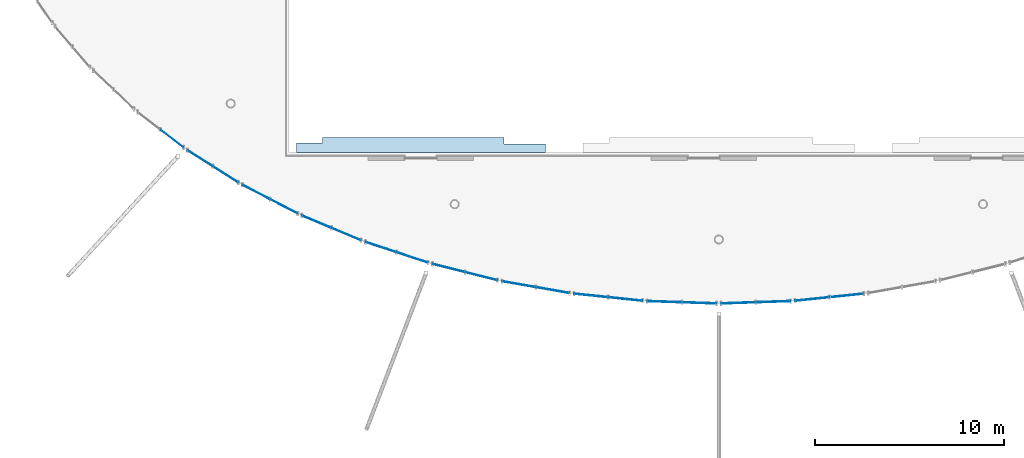
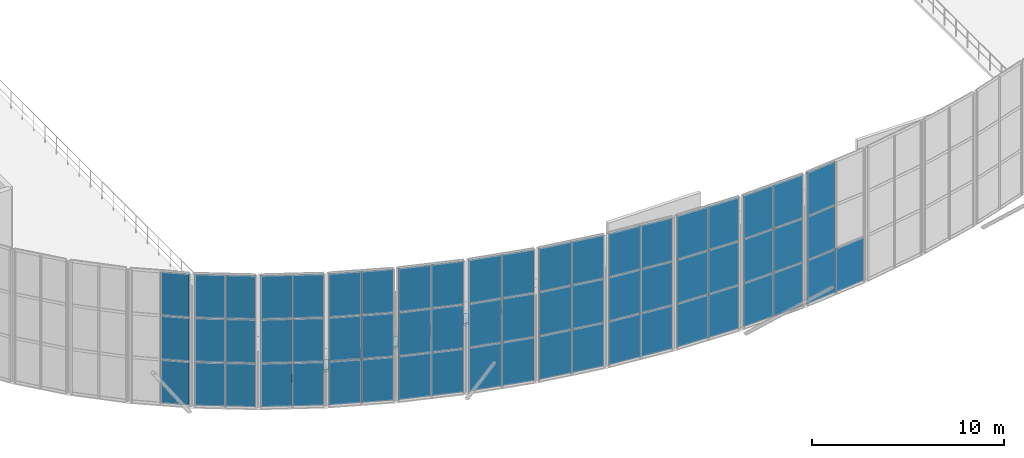
# One storey, part 45 of 109: 61 plates, 1 slab, 11 elements without a shape of their own.
"""IFC4 building model written with IfcOpenShell, lengths in metres."""

from ifc_helpers import new_model, si_unit, derived_unit, direction, frame, origin, origin_2d, place, context, subcontext, project, spatial, polyline, rectangle, outline, extrude, material, layer, layer_set, type_object, element, aggregate, save


model = new_model("IFC4")

# Units and contexts
model_context = context("Model", 3, precision=1e-05, world=origin(), true_north=direction((0.0, 1.0)))
body_context = subcontext(model_context, "Body", "Model", "MODEL_VIEW")
ifc_project = project(units=[si_unit("LENGTHUNIT", "METRE"), si_unit("AREAUNIT", "SQUARE_METRE"), si_unit("VOLUMEUNIT", "CUBIC_METRE"), si_unit("PLANEANGLEUNIT", "RADIAN"), si_unit("MASSUNIT", "GRAM", prefix="KILO"), derived_unit("THERMALTRANSMITTANCEUNIT", [(si_unit("MASSUNIT", "GRAM", prefix="KILO"), 1), (si_unit("TIMEUNIT", "SECOND"), -3), (si_unit("THERMODYNAMICTEMPERATUREUNIT", "KELVIN"), -1)])], contexts=[model_context])

# Site, building, storey
site_placement = place(None, origin())
site = spatial("IfcSite", under=ifc_project, at=site_placement, CompositionType="ELEMENT")
building_placement = place(site_placement, origin())
building = spatial("IfcBuilding", under=site, at=building_placement, Name="Kharveza Railside Sports Centre", CompositionType="ELEMENT")
storey_placement = place(building_placement, frame((0.0, 0.0, 4.5)))
storey = spatial("IfcBuildingStorey", under=building, at=storey_placement, Name="L01", CompositionType="ELEMENT", Elevation=4.5)

# Curtain wall, plates
ifc_material_1 = material(Name="Low-E solar-control laminated glass", Category="glass")
curtain_wall_type = type_object("IfcCurtainWallType", Name="CW-DR01", PredefinedType="NOTDEFINED", material=ifc_material_1)
curtain_wall_1_placement = place(storey_placement, origin())
curtain_wall_1 = element("IfcCurtainWall", 1, at=curtain_wall_1_placement, inside=storey, type_object=curtain_wall_type, Name="CW-DRUM-40", PredefinedType="NOTDEFINED")
ifc_layer_1 = layer(ifc_material_1, 0.035888671875, Name="Low-E solar-control laminated glass")
ifc_layer_set_1 = layer_set([ifc_layer_1], Name="Low-E solar-control laminated glass")
plate_type = type_object("IfcPlateType", Name="PL-CP01", PredefinedType="CURTAIN_PANEL", material=ifc_layer_set_1)
plate_1_placement = place(storey_placement, frame((25.609130859375, 31.146728515625, 0.02001953125), z_axis=(0.0, 0.0, 1.0), x_axis=(0.791436947965, -0.61125081382, 0.0)))
plate_1 = element("IfcPlate", 2, at=plate_1_placement, type_object=plate_type, Name="CW-DRUM-40-PN21", PredefinedType="CURTAIN_PANEL", context=body_context, shape_type="SweptSolid", body=[
    extrude(rectangle(XDim=1.50537109375, YDim=0.035888671875, at=origin_2d()), origin(), (0.0, 0.0, 1.0), 2.760009765625),
])
plate_2_placement = place(storey_placement, frame((25.609130859375, 31.146728515625, 2.81982421875), z_axis=(0.0, 0.0, 1.0), x_axis=(0.791436947965, -0.61125081382, 0.0)))
plate_2 = element("IfcPlate", 3, at=plate_2_placement, type_object=plate_type, Name="CW-DRUM-40-PN22", PredefinedType="CURTAIN_PANEL", context=body_context, shape_type="SweptSolid", body=[
    extrude(rectangle(XDim=1.50537109375, YDim=0.035888671875, at=origin_2d()), origin(), (0.0, 0.0, 1.0), 2.760009765625),
])
plate_3_placement = place(storey_placement, frame((25.609130859375, 31.146728515625, 5.6201171875), z_axis=(0.0, 0.0, 1.0), x_axis=(0.791436947965, -0.61125081382, 0.0)))
plate_3 = element("IfcPlate", 4, at=plate_3_placement, type_object=plate_type, Name="CW-DRUM-40-PN23", PredefinedType="CURTAIN_PANEL", context=body_context, shape_type="SweptSolid", body=[
    extrude(rectangle(XDim=1.50537109375, YDim=0.035888671875, at=origin_2d()), origin(), (0.0, 0.0, 1.0), 2.760009765625),
])
aggregate(curtain_wall_1, [plate_1, plate_2, plate_3])

curtain_wall_2_placement = place(storey_placement, origin())
curtain_wall_2 = element("IfcCurtainWall", 5, at=curtain_wall_2_placement, inside=storey, type_object=curtain_wall_type, Name="CW-DRUM-41", PredefinedType="NOTDEFINED")
plate_4_placement = place(storey_placement, frame((27.093505859375, 30.107421875, 0.02001953125), z_axis=(0.0, 0.0, 1.0), x_axis=(0.844393382793, -0.535723636864, 0.0)))
plate_4 = element("IfcPlate", 6, at=plate_4_placement, type_object=plate_type, Name="CW-DRUM-41-PN11", PredefinedType="CURTAIN_PANEL", context=body_context, shape_type="SweptSolid", body=[
    extrude(rectangle(XDim=1.562255859375, YDim=0.035888671875, at=origin_2d()), origin(), (0.0, 0.0, 1.0), 2.760009765625),
])
plate_5_placement = place(storey_placement, frame((27.093505859375, 30.107421875, 2.81982421875), z_axis=(0.0, 0.0, 1.0), x_axis=(0.844393382793, -0.535723636864, 0.0)))
plate_5 = element("IfcPlate", 7, at=plate_5_placement, type_object=plate_type, Name="CW-DRUM-41-PN12", PredefinedType="CURTAIN_PANEL", context=body_context, shape_type="SweptSolid", body=[
    extrude(rectangle(XDim=1.562255859375, YDim=0.035888671875, at=origin_2d()), origin(), (0.0, 0.0, 1.0), 2.760009765625),
])
plate_6_placement = place(storey_placement, frame((27.093505859375, 30.107421875, 5.6201171875), z_axis=(0.0, 0.0, 1.0), x_axis=(0.844393382793, -0.535723636864, 0.0)))
plate_6 = element("IfcPlate", 8, at=plate_6_placement, type_object=plate_type, Name="CW-DRUM-41-PN13", PredefinedType="CURTAIN_PANEL", context=body_context, shape_type="SweptSolid", body=[
    extrude(rectangle(XDim=1.562255859375, YDim=0.035888671875, at=origin_2d()), origin(), (0.0, 0.0, 1.0), 2.760009765625),
])
plate_7_placement = place(storey_placement, frame((28.446533203125, 29.249267578125, 0.02001953125), z_axis=(0.0, 0.0, 1.0), x_axis=(0.844393382793, -0.535723636864, 0.0)))
plate_7 = element("IfcPlate", 9, at=plate_7_placement, type_object=plate_type, Name="CW-DRUM-41-PN21", PredefinedType="CURTAIN_PANEL", context=body_context, shape_type="SweptSolid", body=[
    extrude(rectangle(XDim=1.562255859375, YDim=0.035888671875, at=origin_2d()), origin(), (0.0, 0.0, 1.0), 2.760009765625),
])
plate_8_placement = place(storey_placement, frame((28.446533203125, 29.249267578125, 2.81982421875), z_axis=(0.0, 0.0, 1.0), x_axis=(0.844393382793, -0.535723636864, 0.0)))
plate_8 = element("IfcPlate", 10, at=plate_8_placement, type_object=plate_type, Name="CW-DRUM-41-PN22", PredefinedType="CURTAIN_PANEL", context=body_context, shape_type="SweptSolid", body=[
    extrude(rectangle(XDim=1.562255859375, YDim=0.035888671875, at=origin_2d()), origin(), (0.0, 0.0, 1.0), 2.760009765625),
])
plate_9_placement = place(storey_placement, frame((28.446533203125, 29.249267578125, 5.6201171875), z_axis=(0.0, 0.0, 1.0), x_axis=(0.844393382793, -0.535723636864, 0.0)))
plate_9 = element("IfcPlate", 11, at=plate_9_placement, type_object=plate_type, Name="CW-DRUM-41-PN23", PredefinedType="CURTAIN_PANEL", context=body_context, shape_type="SweptSolid", body=[
    extrude(rectangle(XDim=1.562255859375, YDim=0.035888671875, at=origin_2d()), origin(), (0.0, 0.0, 1.0), 2.760009765625),
])
aggregate(curtain_wall_2, [plate_4, plate_5, plate_6, plate_7, plate_8, plate_9])

curtain_wall_3_placement = place(storey_placement, origin())
curtain_wall_3 = element("IfcCurtainWall", 12, at=curtain_wall_3_placement, inside=storey, type_object=curtain_wall_type, Name="CW-DRUM-42", PredefinedType="NOTDEFINED")
plate_10_placement = place(storey_placement, frame((30.06591796875, 28.31884765625, 0.02001953125), z_axis=(0.0, 0.0, 1.0), x_axis=(0.887526057855, -0.460757524766, 0.0)))
plate_10 = element("IfcPlate", 13, at=plate_10_placement, type_object=plate_type, Name="CW-DRUM-42-PN11", PredefinedType="CURTAIN_PANEL", context=body_context, shape_type="SweptSolid", body=[
    extrude(rectangle(XDim=1.6162109375, YDim=0.035888671875, at=origin_2d()), origin(), (0.0, 0.0, 1.0), 2.760009765625),
])
plate_11_placement = place(storey_placement, frame((30.06591796875, 28.31884765625, 2.81982421875), z_axis=(0.0, 0.0, 1.0), x_axis=(0.887526057855, -0.460757524766, 0.0)))
plate_11 = element("IfcPlate", 14, at=plate_11_placement, type_object=plate_type, Name="CW-DRUM-42-PN12", PredefinedType="CURTAIN_PANEL", context=body_context, shape_type="SweptSolid", body=[
    extrude(rectangle(XDim=1.6162109375, YDim=0.035888671875, at=origin_2d()), origin(), (0.0, 0.0, 1.0), 2.760009765625),
])
plate_12_placement = place(storey_placement, frame((30.06591796875, 28.31884765625, 5.6201171875), z_axis=(0.0, 0.0, 1.0), x_axis=(0.887526057855, -0.460757524766, 0.0)))
plate_12 = element("IfcPlate", 15, at=plate_12_placement, type_object=plate_type, Name="CW-DRUM-42-PN13", PredefinedType="CURTAIN_PANEL", context=body_context, shape_type="SweptSolid", body=[
    extrude(rectangle(XDim=1.6162109375, YDim=0.035888671875, at=origin_2d()), origin(), (0.0, 0.0, 1.0), 2.760009765625),
])
plate_13_placement = place(storey_placement, frame((31.53564453125, 27.5556640625, 0.02001953125), z_axis=(0.0, 0.0, 1.0), x_axis=(0.887526057855, -0.460757524766, 0.0)))
plate_13 = element("IfcPlate", 16, at=plate_13_placement, type_object=plate_type, Name="CW-DRUM-42-PN21", PredefinedType="CURTAIN_PANEL", context=body_context, shape_type="SweptSolid", body=[
    extrude(rectangle(XDim=1.6162109375, YDim=0.035888671875, at=origin_2d()), origin(), (0.0, 0.0, 1.0), 2.760009765625),
])
plate_14_placement = place(storey_placement, frame((31.53564453125, 27.5556640625, 2.81982421875), z_axis=(0.0, 0.0, 1.0), x_axis=(0.887526057855, -0.460757524766, 0.0)))
plate_14 = element("IfcPlate", 17, at=plate_14_placement, type_object=plate_type, Name="CW-DRUM-42-PN22", PredefinedType="CURTAIN_PANEL", context=body_context, shape_type="SweptSolid", body=[
    extrude(rectangle(XDim=1.6162109375, YDim=0.035888671875, at=origin_2d()), origin(), (0.0, 0.0, 1.0), 2.760009765625),
])
plate_15_placement = place(storey_placement, frame((31.53564453125, 27.5556640625, 5.6201171875), z_axis=(0.0, 0.0, 1.0), x_axis=(0.887526057855, -0.460757524766, 0.0)))
plate_15 = element("IfcPlate", 18, at=plate_15_placement, type_object=plate_type, Name="CW-DRUM-42-PN23", PredefinedType="CURTAIN_PANEL", context=body_context, shape_type="SweptSolid", body=[
    extrude(rectangle(XDim=1.6162109375, YDim=0.035888671875, at=origin_2d()), origin(), (0.0, 0.0, 1.0), 2.760009765625),
])
aggregate(curtain_wall_3, [plate_10, plate_11, plate_12, plate_13, plate_14, plate_15])

curtain_wall_4_placement = place(storey_placement, origin())
curtain_wall_4 = element("IfcCurtainWall", 19, at=curtain_wall_4_placement, inside=storey, type_object=curtain_wall_type, Name="CW-DRUM-43", PredefinedType="NOTDEFINED")
plate_16_placement = place(storey_placement, frame((33.2744140625, 26.742431640625, 0.02001953125), z_axis=(0.0, 0.0, 1.0), x_axis=(0.9221267115, -0.386888004385, 0.0)))
plate_16 = element("IfcPlate", 20, at=plate_16_placement, type_object=plate_type, Name="CW-DRUM-43-PN11", PredefinedType="CURTAIN_PANEL", context=body_context, shape_type="SweptSolid", body=[
    extrude(rectangle(XDim=1.66552734375, YDim=0.035888671875, at=origin_2d()), origin(), (0.0, 0.0, 1.0), 2.760009765625),
])
plate_17_placement = place(storey_placement, frame((33.2744140625, 26.742431640625, 2.81982421875), z_axis=(0.0, 0.0, 1.0), x_axis=(0.9221267115, -0.386888004385, 0.0)))
plate_17 = element("IfcPlate", 21, at=plate_17_placement, type_object=plate_type, Name="CW-DRUM-43-PN12", PredefinedType="CURTAIN_PANEL", context=body_context, shape_type="SweptSolid", body=[
    extrude(rectangle(XDim=1.66552734375, YDim=0.035888671875, at=origin_2d()), origin(), (0.0, 0.0, 1.0), 2.760009765625),
])
plate_18_placement = place(storey_placement, frame((33.2744140625, 26.742431640625, 5.6201171875), z_axis=(0.0, 0.0, 1.0), x_axis=(0.9221267115, -0.386888004385, 0.0)))
plate_18 = element("IfcPlate", 22, at=plate_18_placement, type_object=plate_type, Name="CW-DRUM-43-PN13", PredefinedType="CURTAIN_PANEL", context=body_context, shape_type="SweptSolid", body=[
    extrude(rectangle(XDim=1.66552734375, YDim=0.035888671875, at=origin_2d()), origin(), (0.0, 0.0, 1.0), 2.760009765625),
])
plate_19_placement = place(storey_placement, frame((34.84716796875, 26.08251953125, 0.02001953125), z_axis=(0.0, 0.0, 1.0), x_axis=(0.9221267115, -0.386888004385, 0.0)))
plate_19 = element("IfcPlate", 23, at=plate_19_placement, type_object=plate_type, Name="CW-DRUM-43-PN21", PredefinedType="CURTAIN_PANEL", context=body_context, shape_type="SweptSolid", body=[
    extrude(rectangle(XDim=1.66552734375, YDim=0.035888671875, at=origin_2d()), origin(), (0.0, 0.0, 1.0), 2.760009765625),
])
plate_20_placement = place(storey_placement, frame((34.84716796875, 26.08251953125, 2.81982421875), z_axis=(0.0, 0.0, 1.0), x_axis=(0.9221267115, -0.386888004385, 0.0)))
plate_20 = element("IfcPlate", 24, at=plate_20_placement, type_object=plate_type, Name="CW-DRUM-43-PN22", PredefinedType="CURTAIN_PANEL", context=body_context, shape_type="SweptSolid", body=[
    extrude(rectangle(XDim=1.66552734375, YDim=0.035888671875, at=origin_2d()), origin(), (0.0, 0.0, 1.0), 2.760009765625),
])
plate_21_placement = place(storey_placement, frame((34.84716796875, 26.08251953125, 5.6201171875), z_axis=(0.0, 0.0, 1.0), x_axis=(0.9221267115, -0.386888004385, 0.0)))
plate_21 = element("IfcPlate", 25, at=plate_21_placement, type_object=plate_type, Name="CW-DRUM-43-PN23", PredefinedType="CURTAIN_PANEL", context=body_context, shape_type="SweptSolid", body=[
    extrude(rectangle(XDim=1.66552734375, YDim=0.035888671875, at=origin_2d()), origin(), (0.0, 0.0, 1.0), 2.760009765625),
])
aggregate(curtain_wall_4, [plate_16, plate_17, plate_18, plate_19, plate_20, plate_21])

curtain_wall_5_placement = place(storey_placement, origin())
curtain_wall_5 = element("IfcCurtainWall", 26, at=curtain_wall_5_placement, inside=storey, type_object=curtain_wall_type, Name="CW-DRUM-44", PredefinedType="NOTDEFINED")
plate_22_placement = place(storey_placement, frame((36.688232421875, 25.3935546875, 0.02001953125), z_axis=(0.0, 0.0, 1.0), x_axis=(0.949326787152, -0.314290711278, 0.0)))
plate_22 = element("IfcPlate", 27, at=plate_22_placement, type_object=plate_type, Name="CW-DRUM-44-PN11", PredefinedType="CURTAIN_PANEL", context=body_context, shape_type="SweptSolid", body=[
    extrude(rectangle(XDim=1.708984375, YDim=0.035888671875, at=origin_2d()), origin(), (0.0, 0.0, 1.0), 2.760009765625),
])
plate_23_placement = place(storey_placement, frame((36.688232421875, 25.3935546875, 2.81982421875), z_axis=(0.0, 0.0, 1.0), x_axis=(0.949326787152, -0.314290711278, 0.0)))
plate_23 = element("IfcPlate", 28, at=plate_23_placement, type_object=plate_type, Name="CW-DRUM-44-PN12", PredefinedType="CURTAIN_PANEL", context=body_context, shape_type="SweptSolid", body=[
    extrude(rectangle(XDim=1.708984375, YDim=0.035888671875, at=origin_2d()), origin(), (0.0, 0.0, 1.0), 2.760009765625),
])
plate_24_placement = place(storey_placement, frame((36.688232421875, 25.3935546875, 5.6201171875), z_axis=(0.0, 0.0, 1.0), x_axis=(0.949326787152, -0.314290711278, 0.0)))
plate_24 = element("IfcPlate", 29, at=plate_24_placement, type_object=plate_type, Name="CW-DRUM-44-PN13", PredefinedType="CURTAIN_PANEL", context=body_context, shape_type="SweptSolid", body=[
    extrude(rectangle(XDim=1.708984375, YDim=0.035888671875, at=origin_2d()), origin(), (0.0, 0.0, 1.0), 2.760009765625),
])
plate_25_placement = place(storey_placement, frame((38.3486328125, 24.843994140625, 0.02001953125), z_axis=(0.0, 0.0, 1.0), x_axis=(0.949326787152, -0.314290711278, 0.0)))
plate_25 = element("IfcPlate", 30, at=plate_25_placement, type_object=plate_type, Name="CW-DRUM-44-PN21", PredefinedType="CURTAIN_PANEL", context=body_context, shape_type="SweptSolid", body=[
    extrude(rectangle(XDim=1.708984375, YDim=0.035888671875, at=origin_2d()), origin(), (0.0, 0.0, 1.0), 2.760009765625),
])
plate_26_placement = place(storey_placement, frame((38.3486328125, 24.843994140625, 2.81982421875), z_axis=(0.0, 0.0, 1.0), x_axis=(0.949326787152, -0.314290711278, 0.0)))
plate_26 = element("IfcPlate", 31, at=plate_26_placement, type_object=plate_type, Name="CW-DRUM-44-PN22", PredefinedType="CURTAIN_PANEL", context=body_context, shape_type="SweptSolid", body=[
    extrude(rectangle(XDim=1.708984375, YDim=0.035888671875, at=origin_2d()), origin(), (0.0, 0.0, 1.0), 2.760009765625),
])
plate_27_placement = place(storey_placement, frame((38.3486328125, 24.843994140625, 5.6201171875), z_axis=(0.0, 0.0, 1.0), x_axis=(0.949326787152, -0.314290711278, 0.0)))
plate_27 = element("IfcPlate", 32, at=plate_27_placement, type_object=plate_type, Name="CW-DRUM-44-PN23", PredefinedType="CURTAIN_PANEL", context=body_context, shape_type="SweptSolid", body=[
    extrude(rectangle(XDim=1.708984375, YDim=0.035888671875, at=origin_2d()), origin(), (0.0, 0.0, 1.0), 2.760009765625),
])
aggregate(curtain_wall_5, [plate_22, plate_23, plate_24, plate_25, plate_26, plate_27])

curtain_wall_6_placement = place(storey_placement, origin())
curtain_wall_6 = element("IfcCurtainWall", 33, at=curtain_wall_6_placement, inside=storey, type_object=curtain_wall_type, Name="CW-DRUM-45", PredefinedType="NOTDEFINED")
plate_28_placement = place(storey_placement, frame((40.27490234375, 24.285400390625, 0.02001953125), z_axis=(0.0, 0.0, 1.0), x_axis=(0.970037614068, -0.242954784461, 0.0)))
plate_28 = element("IfcPlate", 34, at=plate_28_placement, type_object=plate_type, Name="CW-DRUM-45-PN11", PredefinedType="CURTAIN_PANEL", context=body_context, shape_type="SweptSolid", body=[
    extrude(rectangle(XDim=1.7451171875, YDim=0.035888671875, at=origin_2d()), origin(), (0.0, 0.0, 1.0), 2.760009765625),
])
plate_29_placement = place(storey_placement, frame((40.27490234375, 24.285400390625, 2.81982421875), z_axis=(0.0, 0.0, 1.0), x_axis=(0.970037614068, -0.242954784461, 0.0)))
plate_29 = element("IfcPlate", 35, at=plate_29_placement, type_object=plate_type, Name="CW-DRUM-45-PN12", PredefinedType="CURTAIN_PANEL", context=body_context, shape_type="SweptSolid", body=[
    extrude(rectangle(XDim=1.7451171875, YDim=0.035888671875, at=origin_2d()), origin(), (0.0, 0.0, 1.0), 2.760009765625),
])
plate_30_placement = place(storey_placement, frame((40.27490234375, 24.285400390625, 5.6201171875), z_axis=(0.0, 0.0, 1.0), x_axis=(0.970037614068, -0.242954784461, 0.0)))
plate_30 = element("IfcPlate", 36, at=plate_30_placement, type_object=plate_type, Name="CW-DRUM-45-PN13", PredefinedType="CURTAIN_PANEL", context=body_context, shape_type="SweptSolid", body=[
    extrude(rectangle(XDim=1.7451171875, YDim=0.035888671875, at=origin_2d()), origin(), (0.0, 0.0, 1.0), 2.760009765625),
])
plate_31_placement = place(storey_placement, frame((42.00634765625, 23.851806640625, 0.02001953125), z_axis=(0.0, 0.0, 1.0), x_axis=(0.970037614068, -0.242954784461, 0.0)))
plate_31 = element("IfcPlate", 37, at=plate_31_placement, type_object=plate_type, Name="CW-DRUM-45-PN21", PredefinedType="CURTAIN_PANEL", context=body_context, shape_type="SweptSolid", body=[
    extrude(rectangle(XDim=1.7451171875, YDim=0.035888671875, at=origin_2d()), origin(), (0.0, 0.0, 1.0), 2.760009765625),
])
plate_32_placement = place(storey_placement, frame((42.00634765625, 23.851806640625, 2.81982421875), z_axis=(0.0, 0.0, 1.0), x_axis=(0.970037614068, -0.242954784461, 0.0)))
plate_32 = element("IfcPlate", 38, at=plate_32_placement, type_object=plate_type, Name="CW-DRUM-45-PN22", PredefinedType="CURTAIN_PANEL", context=body_context, shape_type="SweptSolid", body=[
    extrude(rectangle(XDim=1.7451171875, YDim=0.035888671875, at=origin_2d()), origin(), (0.0, 0.0, 1.0), 2.760009765625),
])
plate_33_placement = place(storey_placement, frame((42.00634765625, 23.851806640625, 5.6201171875), z_axis=(0.0, 0.0, 1.0), x_axis=(0.970037614068, -0.242954784461, 0.0)))
plate_33 = element("IfcPlate", 39, at=plate_33_placement, type_object=plate_type, Name="CW-DRUM-45-PN23", PredefinedType="CURTAIN_PANEL", context=body_context, shape_type="SweptSolid", body=[
    extrude(rectangle(XDim=1.7451171875, YDim=0.035888671875, at=origin_2d()), origin(), (0.0, 0.0, 1.0), 2.760009765625),
])
aggregate(curtain_wall_6, [plate_28, plate_29, plate_30, plate_31, plate_32, plate_33])

curtain_wall_7_placement = place(storey_placement, origin())
curtain_wall_7 = element("IfcCurtainWall", 40, at=curtain_wall_7_placement, inside=storey, type_object=curtain_wall_type, Name="CW-DRUM-46", PredefinedType="NOTDEFINED")
plate_34_placement = place(storey_placement, frame((43.999755859375, 23.428466796875, 0.02001953125), z_axis=(0.0, 0.0, 1.0), x_axis=(0.984973989537, -0.172702750228, 0.0)))
plate_34 = element("IfcPlate", 41, at=plate_34_placement, type_object=plate_type, Name="CW-DRUM-46-PN11", PredefinedType="CURTAIN_PANEL", context=body_context, shape_type="SweptSolid", body=[
    extrude(rectangle(XDim=1.77294921875, YDim=0.035888671875, at=origin_2d()), origin(), (0.0, 0.0, 1.0), 2.760009765625),
])
plate_35_placement = place(storey_placement, frame((43.999755859375, 23.428466796875, 2.81982421875), z_axis=(0.0, 0.0, 1.0), x_axis=(0.984973989537, -0.172702750228, 0.0)))
plate_35 = element("IfcPlate", 42, at=plate_35_placement, type_object=plate_type, Name="CW-DRUM-46-PN12", PredefinedType="CURTAIN_PANEL", context=body_context, shape_type="SweptSolid", body=[
    extrude(rectangle(XDim=1.77294921875, YDim=0.035888671875, at=origin_2d()), origin(), (0.0, 0.0, 1.0), 2.760009765625),
])
plate_36_placement = place(storey_placement, frame((43.999755859375, 23.428466796875, 5.6201171875), z_axis=(0.0, 0.0, 1.0), x_axis=(0.984973989537, -0.172702750228, 0.0)))
plate_36 = element("IfcPlate", 43, at=plate_36_placement, type_object=plate_type, Name="CW-DRUM-46-PN13", PredefinedType="CURTAIN_PANEL", context=body_context, shape_type="SweptSolid", body=[
    extrude(rectangle(XDim=1.77294921875, YDim=0.035888671875, at=origin_2d()), origin(), (0.0, 0.0, 1.0), 2.760009765625),
])
plate_37_placement = place(storey_placement, frame((45.785400390625, 23.115234375, 0.02001953125), z_axis=(0.0, 0.0, 1.0), x_axis=(0.984973989537, -0.172702750228, 0.0)))
plate_37 = element("IfcPlate", 44, at=plate_37_placement, type_object=plate_type, Name="CW-DRUM-46-PN21", PredefinedType="CURTAIN_PANEL", context=body_context, shape_type="SweptSolid", body=[
    extrude(rectangle(XDim=1.77294921875, YDim=0.035888671875, at=origin_2d()), origin(), (0.0, 0.0, 1.0), 2.760009765625),
])
plate_38_placement = place(storey_placement, frame((45.785400390625, 23.115234375, 2.81982421875), z_axis=(0.0, 0.0, 1.0), x_axis=(0.984973989537, -0.172702750228, 0.0)))
plate_38 = element("IfcPlate", 45, at=plate_38_placement, type_object=plate_type, Name="CW-DRUM-46-PN22", PredefinedType="CURTAIN_PANEL", context=body_context, shape_type="SweptSolid", body=[
    extrude(rectangle(XDim=1.77294921875, YDim=0.035888671875, at=origin_2d()), origin(), (0.0, 0.0, 1.0), 2.760009765625),
])
plate_39_placement = place(storey_placement, frame((45.785400390625, 23.115234375, 5.6201171875), z_axis=(0.0, 0.0, 1.0), x_axis=(0.984973989537, -0.172702750228, 0.0)))
plate_39 = element("IfcPlate", 46, at=plate_39_placement, type_object=plate_type, Name="CW-DRUM-46-PN23", PredefinedType="CURTAIN_PANEL", context=body_context, shape_type="SweptSolid", body=[
    extrude(rectangle(XDim=1.77294921875, YDim=0.035888671875, at=origin_2d()), origin(), (0.0, 0.0, 1.0), 2.760009765625),
])
aggregate(curtain_wall_7, [plate_34, plate_35, plate_36, plate_37, plate_38, plate_39])

curtain_wall_8_placement = place(storey_placement, origin())
curtain_wall_8 = element("IfcCurtainWall", 47, at=curtain_wall_8_placement, inside=storey, type_object=curtain_wall_type, Name="CW-DRUM-47", PredefinedType="NOTDEFINED")
plate_40_placement = place(storey_placement, frame((47.826904296875, 22.8310546875, 0.02001953125), z_axis=(0.0, 0.0, 1.0), x_axis=(0.994652464432, -0.103278627992, 0.0)))
plate_40 = element("IfcPlate", 48, at=plate_40_placement, type_object=plate_type, Name="CW-DRUM-47-PN11", PredefinedType="CURTAIN_PANEL", context=body_context, shape_type="SweptSolid", body=[
    extrude(rectangle(XDim=1.7919921875, YDim=0.035888671875, at=origin_2d()), origin(), (0.0, 0.0, 1.0), 2.760009765625),
])
plate_41_placement = place(storey_placement, frame((47.826904296875, 22.8310546875, 2.81982421875), z_axis=(0.0, 0.0, 1.0), x_axis=(0.994652464432, -0.103278627992, 0.0)))
plate_41 = element("IfcPlate", 49, at=plate_41_placement, type_object=plate_type, Name="CW-DRUM-47-PN12", PredefinedType="CURTAIN_PANEL", context=body_context, shape_type="SweptSolid", body=[
    extrude(rectangle(XDim=1.7919921875, YDim=0.035888671875, at=origin_2d()), origin(), (0.0, 0.0, 1.0), 2.760009765625),
])
plate_42_placement = place(storey_placement, frame((47.826904296875, 22.8310546875, 5.6201171875), z_axis=(0.0, 0.0, 1.0), x_axis=(0.994652464432, -0.103278627992, 0.0)))
plate_42 = element("IfcPlate", 50, at=plate_42_placement, type_object=plate_type, Name="CW-DRUM-47-PN13", PredefinedType="CURTAIN_PANEL", context=body_context, shape_type="SweptSolid", body=[
    extrude(rectangle(XDim=1.7919921875, YDim=0.035888671875, at=origin_2d()), origin(), (0.0, 0.0, 1.0), 2.760009765625),
])
plate_43_placement = place(storey_placement, frame((49.64892578125, 22.641845703125, 0.02001953125), z_axis=(0.0, 0.0, 1.0), x_axis=(0.994652464432, -0.103278627992, 0.0)))
plate_43 = element("IfcPlate", 51, at=plate_43_placement, type_object=plate_type, Name="CW-DRUM-47-PN21", PredefinedType="CURTAIN_PANEL", context=body_context, shape_type="SweptSolid", body=[
    extrude(rectangle(XDim=1.7919921875, YDim=0.035888671875, at=origin_2d()), origin(), (0.0, 0.0, 1.0), 2.760009765625),
])
plate_44_placement = place(storey_placement, frame((49.64892578125, 22.641845703125, 2.81982421875), z_axis=(0.0, 0.0, 1.0), x_axis=(0.994652464432, -0.103278627992, 0.0)))
plate_44 = element("IfcPlate", 52, at=plate_44_placement, type_object=plate_type, Name="CW-DRUM-47-PN22", PredefinedType="CURTAIN_PANEL", context=body_context, shape_type="SweptSolid", body=[
    extrude(rectangle(XDim=1.7919921875, YDim=0.035888671875, at=origin_2d()), origin(), (0.0, 0.0, 1.0), 2.760009765625),
])
plate_45_placement = place(storey_placement, frame((49.64892578125, 22.641845703125, 5.6201171875), z_axis=(0.0, 0.0, 1.0), x_axis=(0.994652464432, -0.103278627992, 0.0)))
plate_45 = element("IfcPlate", 53, at=plate_45_placement, type_object=plate_type, Name="CW-DRUM-47-PN23", PredefinedType="CURTAIN_PANEL", context=body_context, shape_type="SweptSolid", body=[
    extrude(rectangle(XDim=1.7919921875, YDim=0.035888671875, at=origin_2d()), origin(), (0.0, 0.0, 1.0), 2.760009765625),
])
aggregate(curtain_wall_8, [plate_40, plate_41, plate_42, plate_43, plate_44, plate_45])

curtain_wall_9_placement = place(storey_placement, origin())
curtain_wall_9 = element("IfcCurtainWall", 54, at=curtain_wall_9_placement, inside=storey, type_object=curtain_wall_type, Name="CW-DRUM-48", PredefinedType="NOTDEFINED")
plate_46_placement = place(storey_placement, frame((51.719482421875, 22.4990234375, 0.02001953125), z_axis=(0.0, 0.0, 1.0), x_axis=(0.999408963358, -0.034376212129, 0.0)))
plate_46 = element("IfcPlate", 55, at=plate_46_placement, type_object=plate_type, Name="CW-DRUM-48-PN11", PredefinedType="CURTAIN_PANEL", context=body_context, shape_type="SweptSolid", body=[
    extrude(rectangle(XDim=1.801513671875, YDim=0.035888671875, at=origin_2d()), origin(), (0.0, 0.0, 1.0), 2.760009765625),
])
plate_47_placement = place(storey_placement, frame((51.719482421875, 22.4990234375, 2.81982421875), z_axis=(0.0, 0.0, 1.0), x_axis=(0.999408963358, -0.034376212129, 0.0)))
plate_47 = element("IfcPlate", 56, at=plate_47_placement, type_object=plate_type, Name="CW-DRUM-48-PN12", PredefinedType="CURTAIN_PANEL", context=body_context, shape_type="SweptSolid", body=[
    extrude(rectangle(XDim=1.801513671875, YDim=0.035888671875, at=origin_2d()), origin(), (0.0, 0.0, 1.0), 2.760009765625),
])
plate_48_placement = place(storey_placement, frame((51.719482421875, 22.4990234375, 5.6201171875), z_axis=(0.0, 0.0, 1.0), x_axis=(0.999408963358, -0.034376212129, 0.0)))
plate_48 = element("IfcPlate", 57, at=plate_48_placement, type_object=plate_type, Name="CW-DRUM-48-PN13", PredefinedType="CURTAIN_PANEL", context=body_context, shape_type="SweptSolid", body=[
    extrude(rectangle(XDim=1.801513671875, YDim=0.035888671875, at=origin_2d()), origin(), (0.0, 0.0, 1.0), 2.760009765625),
])
plate_49_placement = place(storey_placement, frame((53.559814453125, 22.435791015625, 0.02001953125), z_axis=(0.0, 0.0, 1.0), x_axis=(0.999408963358, -0.034376212129, 0.0)))
plate_49 = element("IfcPlate", 58, at=plate_49_placement, type_object=plate_type, Name="CW-DRUM-48-PN21", PredefinedType="CURTAIN_PANEL", context=body_context, shape_type="SweptSolid", body=[
    extrude(rectangle(XDim=1.801513671875, YDim=0.035888671875, at=origin_2d()), origin(), (0.0, 0.0, 1.0), 2.760009765625),
])
plate_50_placement = place(storey_placement, frame((53.559814453125, 22.435791015625, 2.81982421875), z_axis=(0.0, 0.0, 1.0), x_axis=(0.999408963358, -0.034376212129, 0.0)))
plate_50 = element("IfcPlate", 59, at=plate_50_placement, type_object=plate_type, Name="CW-DRUM-48-PN22", PredefinedType="CURTAIN_PANEL", context=body_context, shape_type="SweptSolid", body=[
    extrude(rectangle(XDim=1.801513671875, YDim=0.035888671875, at=origin_2d()), origin(), (0.0, 0.0, 1.0), 2.760009765625),
])
plate_51_placement = place(storey_placement, frame((53.559814453125, 22.435791015625, 5.6201171875), z_axis=(0.0, 0.0, 1.0), x_axis=(0.999408963358, -0.034376212129, 0.0)))
plate_51 = element("IfcPlate", 60, at=plate_51_placement, type_object=plate_type, Name="CW-DRUM-48-PN23", PredefinedType="CURTAIN_PANEL", context=body_context, shape_type="SweptSolid", body=[
    extrude(rectangle(XDim=1.801513671875, YDim=0.035888671875, at=origin_2d()), origin(), (0.0, 0.0, 1.0), 2.760009765625),
])
aggregate(curtain_wall_9, [plate_46, plate_47, plate_48, plate_49, plate_50, plate_51])

curtain_wall_10_placement = place(storey_placement, origin())
curtain_wall_10 = element("IfcCurtainWall", 61, at=curtain_wall_10_placement, inside=storey, type_object=curtain_wall_type, Name="CW-DRUM-49", PredefinedType="NOTDEFINED")
plate_52_placement = place(storey_placement, frame((55.64013671875, 22.435791015625, 0.02001953125), z_axis=(0.0, 0.0, 1.0), x_axis=(0.999408963358, 0.034376212129, 0.0)))
plate_52 = element("IfcPlate", 62, at=plate_52_placement, type_object=plate_type, Name="CW-DRUM-49-PN11", PredefinedType="CURTAIN_PANEL", context=body_context, shape_type="SweptSolid", body=[
    extrude(rectangle(XDim=1.801513671875, YDim=0.035888671875, at=origin_2d()), origin(), (0.0, 0.0, 1.0), 2.760009765625),
])
plate_53_placement = place(storey_placement, frame((55.64013671875, 22.435791015625, 2.81982421875), z_axis=(0.0, 0.0, 1.0), x_axis=(0.999408963358, 0.034376212129, 0.0)))
plate_53 = element("IfcPlate", 63, at=plate_53_placement, type_object=plate_type, Name="CW-DRUM-49-PN12", PredefinedType="CURTAIN_PANEL", context=body_context, shape_type="SweptSolid", body=[
    extrude(rectangle(XDim=1.801513671875, YDim=0.035888671875, at=origin_2d()), origin(), (0.0, 0.0, 1.0), 2.760009765625),
])
plate_54_placement = place(storey_placement, frame((55.64013671875, 22.435791015625, 5.6201171875), z_axis=(0.0, 0.0, 1.0), x_axis=(0.999408963358, 0.034376212129, 0.0)))
plate_54 = element("IfcPlate", 64, at=plate_54_placement, type_object=plate_type, Name="CW-DRUM-49-PN13", PredefinedType="CURTAIN_PANEL", context=body_context, shape_type="SweptSolid", body=[
    extrude(rectangle(XDim=1.801513671875, YDim=0.035888671875, at=origin_2d()), origin(), (0.0, 0.0, 1.0), 2.760009765625),
])
plate_55_placement = place(storey_placement, frame((57.48046875, 22.4990234375, 0.02001953125), z_axis=(0.0, 0.0, 1.0), x_axis=(0.999408963358, 0.034376212129, 0.0)))
plate_55 = element("IfcPlate", 65, at=plate_55_placement, type_object=plate_type, Name="CW-DRUM-49-PN21", PredefinedType="CURTAIN_PANEL", context=body_context, shape_type="SweptSolid", body=[
    extrude(rectangle(XDim=1.801513671875, YDim=0.035888671875, at=origin_2d()), origin(), (0.0, 0.0, 1.0), 2.760009765625),
])
plate_56_placement = place(storey_placement, frame((57.48046875, 22.4990234375, 2.81982421875), z_axis=(0.0, 0.0, 1.0), x_axis=(0.999408963358, 0.034376212129, 0.0)))
plate_56 = element("IfcPlate", 66, at=plate_56_placement, type_object=plate_type, Name="CW-DRUM-49-PN22", PredefinedType="CURTAIN_PANEL", context=body_context, shape_type="SweptSolid", body=[
    extrude(rectangle(XDim=1.801513671875, YDim=0.035888671875, at=origin_2d()), origin(), (0.0, 0.0, 1.0), 2.760009765625),
])
plate_57_placement = place(storey_placement, frame((57.48046875, 22.4990234375, 5.6201171875), z_axis=(0.0, 0.0, 1.0), x_axis=(0.999408963358, 0.034376212129, 0.0)))
plate_57 = element("IfcPlate", 67, at=plate_57_placement, type_object=plate_type, Name="CW-DRUM-49-PN23", PredefinedType="CURTAIN_PANEL", context=body_context, shape_type="SweptSolid", body=[
    extrude(rectangle(XDim=1.801513671875, YDim=0.035888671875, at=origin_2d()), origin(), (0.0, 0.0, 1.0), 2.760009765625),
])
aggregate(curtain_wall_10, [plate_52, plate_53, plate_54, plate_55, plate_56, plate_57])

curtain_wall_11_placement = place(storey_placement, origin())
curtain_wall_11 = element("IfcCurtainWall", 68, at=curtain_wall_11_placement, inside=storey, type_object=curtain_wall_type, Name="CW-DRUM-50", PredefinedType="NOTDEFINED")
plate_58_placement = place(storey_placement, frame((59.551025390625, 22.641845703125, 0.02001953125), z_axis=(0.0, 0.0, 1.0), x_axis=(0.994652464432, 0.103278627992, 0.0)))
plate_58 = element("IfcPlate", 69, at=plate_58_placement, type_object=plate_type, Name="CW-DRUM-50-PN11", PredefinedType="CURTAIN_PANEL", context=body_context, shape_type="SweptSolid", body=[
    extrude(rectangle(XDim=1.7919921875, YDim=0.035888671875, at=origin_2d()), origin(), (0.0, 0.0, 1.0), 2.760009765625),
])
plate_59_placement = place(storey_placement, frame((59.551025390625, 22.641845703125, 2.81982421875), z_axis=(0.0, 0.0, 1.0), x_axis=(0.994652464432, 0.103278627992, 0.0)))
plate_59 = element("IfcPlate", 70, at=plate_59_placement, type_object=plate_type, Name="CW-DRUM-50-PN12", PredefinedType="CURTAIN_PANEL", context=body_context, shape_type="SweptSolid", body=[
    extrude(rectangle(XDim=1.7919921875, YDim=0.035888671875, at=origin_2d()), origin(), (0.0, 0.0, 1.0), 2.760009765625),
])
plate_60_placement = place(storey_placement, frame((59.551025390625, 22.641845703125, 5.6201171875), z_axis=(0.0, 0.0, 1.0), x_axis=(0.994652464432, 0.103278627992, 0.0)))
plate_60 = element("IfcPlate", 71, at=plate_60_placement, type_object=plate_type, Name="CW-DRUM-50-PN13", PredefinedType="CURTAIN_PANEL", context=body_context, shape_type="SweptSolid", body=[
    extrude(rectangle(XDim=1.7919921875, YDim=0.035888671875, at=origin_2d()), origin(), (0.0, 0.0, 1.0), 2.760009765625),
])
plate_61_placement = place(storey_placement, frame((61.373291015625, 22.8310546875, 0.02001953125), z_axis=(0.0, 0.0, 1.0), x_axis=(0.994652464432, 0.103278627992, 0.0)))
plate_61 = element("IfcPlate", 72, at=plate_61_placement, type_object=plate_type, Name="CW-DRUM-50-PN21", PredefinedType="CURTAIN_PANEL", context=body_context, shape_type="SweptSolid", body=[
    extrude(rectangle(XDim=1.7919921875, YDim=0.035888671875, at=origin_2d()), origin(), (0.0, 0.0, 1.0), 2.760009765625),
])
aggregate(curtain_wall_11, [plate_58, plate_59, plate_60, plate_61])

# Slab
ifc_material_2 = material(Name="Precast concrete C40/50", Category="concrete")
ifc_layer_2 = layer(ifc_material_2, 0.14990234375, Name="Precast concrete C40/50")
ifc_layer_set_2 = layer_set([ifc_layer_2], Name="Precast concrete C40/50")
slab_type = type_object("IfcSlabType", Name="SL-ST150", PredefinedType="USERDEFINED", material=ifc_layer_set_2)
slab_placement = place(storey_placement, frame((0.0, 0.0, -0.510009765625)))
element("IfcSlab", 73, at=slab_placement, inside=storey, type_object=slab_type, Name="Spectator Seating Tier S1-S1", ObjectType="SEATING_TIER", PredefinedType="USERDEFINED", context=body_context, shape_type="SweptSolid", body=[
    extrude(outline(polyline([(32.199951171875, 30.39990234375), (45.39990234375, 30.39990234375), (45.39990234375, 30.860107421875), (43.199951171875, 30.860107421875), (43.199951171875, 31.199951171875), (33.60009765625, 31.199951171875), (33.60009765625, 30.919921875), (32.199951171875, 30.919921875), (32.199951171875, 30.39990234375)])), origin(), (0.0, 0.0, 1.0), 0.14990234375),
])

save(model, "model.ifc")
